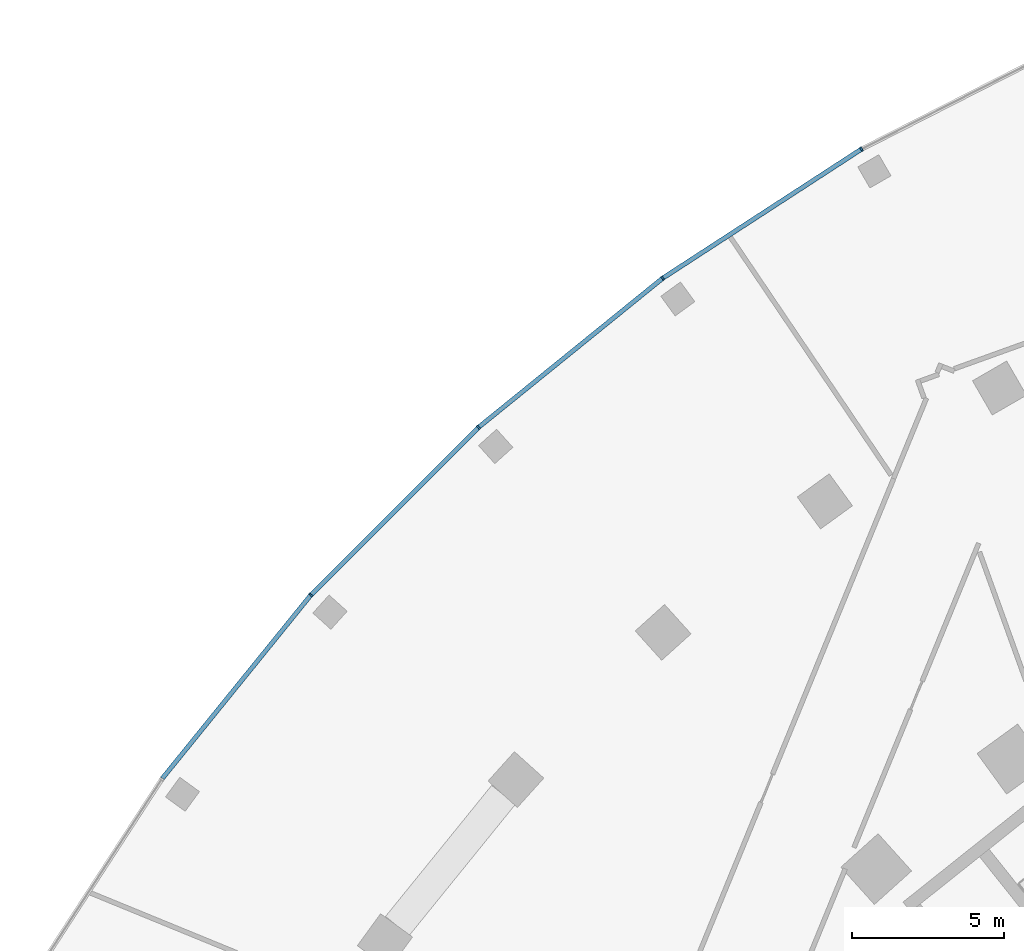
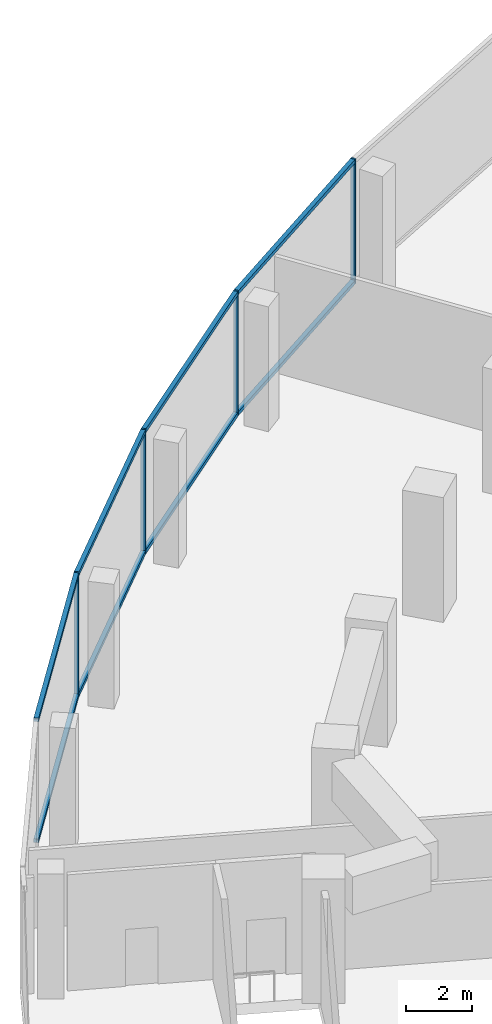
# One storey, part 7 of 33: 12 members, 1 element without a shape of its own.
"""IFC4 building model written with IfcOpenShell, lengths in metres."""

from ifc_helpers import new_model, si_unit, direction, frame, origin, origin_2d, place, context, subcontext, project, spatial, rectangle, extrude, material, layer, layer_set, material_profile, profile_set, type_object, element, aggregate, save


model = new_model("IFC4")

# Units and contexts
model_context = context("Model", 3, precision=1e-05, world=origin(), true_north=direction((0.0, 1.0)))
body_context = subcontext(model_context, "Body", "Model", "MODEL_VIEW")
ifc_project = project(units=[si_unit("LENGTHUNIT", "METRE"), si_unit("AREAUNIT", "SQUARE_METRE"), si_unit("VOLUMEUNIT", "CUBIC_METRE"), si_unit("PLANEANGLEUNIT", "RADIAN"), si_unit("MASSUNIT", "GRAM", prefix="KILO")], contexts=[model_context])

# Site, building, storey
site_placement = place(None, origin())
site = spatial("IfcSite", under=ifc_project, at=site_placement, CompositionType="ELEMENT")
building_placement = place(site_placement, origin())
building = spatial("IfcBuilding", under=site, at=building_placement, Name="Stone Belt Terrace Tower", CompositionType="ELEMENT")
storey_placement = place(building_placement, frame((0.0, 0.0, 25.39990234375)))
storey = spatial("IfcBuildingStorey", under=building, at=storey_placement, Name="L05", CompositionType="ELEMENT", Elevation=25.39990234375)

# Curtain wall, members
ifc_material = material(Name="Aluminium 6063-T6 anodised frame", Category="aluminium")
ifc_layer = layer(ifc_material, 0.14990234375)
ifc_layer_set = layer_set([ifc_layer], Name="CW-D podium shopfront")
curtain_wall_type = type_object("IfcCurtainWallType", Name="CW-D podium shopfront", PredefinedType="NOTDEFINED", material=ifc_layer_set)
curtain_wall_placement = place(storey_placement, origin())
curtain_wall = element("IfcCurtainWall", 1, at=curtain_wall_placement, inside=storey, type_object=curtain_wall_type, Name="CW-D convex face L05", PredefinedType="NOTDEFINED")
ifc_material_profile_1 = material_profile(ifc_material, rectangle(XDim=0.14990234375, YDim=0.06005859375, at=origin_2d()), Name="Aluminium 6063-T6 60x150")
ifc_profile_set_1 = profile_set([ifc_material_profile_1], Name="Aluminium 6063-T6 anodised frame")
member_type_1 = type_object("IfcMemberType", Name="CW-D mullion 60 x 150", PredefinedType="MULLION", material=ifc_profile_set_1)
member_1_placement = place(storey_placement, frame((-37.28759765625, 64.583984375, 0.0), z_axis=(0.0, 0.0, 1.0), x_axis=(0.5, -0.866025403784, 0.0)))
member_1 = element("IfcMember", 2, at=member_1_placement, type_object=member_type_1, Name="CW-D mullion 18", PredefinedType="MULLION", context=body_context, shape_type="SweptSolid", body=[
    extrude(rectangle(XDim=0.14990234375, YDim=0.06005859375, at=origin_2d()), origin(), (0.0, 0.0, 1.0), 4.60009765625),
])
member_2_placement = place(storey_placement, frame((-43.834228515625, 60.33251953125, 0.0), z_axis=(0.0, 0.0, 1.0), x_axis=(0.587785252292, -0.809016994375, 0.0)))
member_2 = element("IfcMember", 3, at=member_2_placement, type_object=member_type_1, Name="CW-D mullion 19", PredefinedType="MULLION", context=body_context, shape_type="SweptSolid", body=[
    extrude(rectangle(XDim=0.14990234375, YDim=0.06005859375, at=origin_2d()), origin(), (0.0, 0.0, 1.0), 4.60009765625),
])
member_3_placement = place(storey_placement, frame((-49.900390625, 55.420166015625, 0.0), z_axis=(0.0, 0.0, 1.0), x_axis=(0.669130606359, -0.743144825477, 0.0)))
member_3 = element("IfcMember", 4, at=member_3_placement, type_object=member_type_1, Name="CW-D mullion 20", PredefinedType="MULLION", context=body_context, shape_type="SweptSolid", body=[
    extrude(rectangle(XDim=0.14990234375, YDim=0.06005859375, at=origin_2d()), origin(), (0.0, 0.0, 1.0), 4.60009765625),
])
member_4_placement = place(storey_placement, frame((-55.420166015625, 49.900390625, 0.0), z_axis=(0.0, 0.0, 1.0), x_axis=(0.743144825477, -0.669130606359, 0.0)))
member_4 = element("IfcMember", 5, at=member_4_placement, type_object=member_type_1, Name="CW-D mullion 21", PredefinedType="MULLION", context=body_context, shape_type="SweptSolid", body=[
    extrude(rectangle(XDim=0.14990234375, YDim=0.06005859375, at=origin_2d()), origin(), (0.0, 0.0, 1.0), 4.60009765625),
])
ifc_material_profile_2 = material_profile(ifc_material, rectangle(XDim=0.14990234375, YDim=0.139892578125, at=origin_2d()), Name="Aluminium 6063-T6 150x140")
ifc_profile_set_2 = profile_set([ifc_material_profile_2], Name="Aluminium 6063-T6 anodised frame")
member_type_2 = type_object("IfcMemberType", Name="CW-D transom 140 x 150", PredefinedType="USERDEFINED", material=ifc_profile_set_2)
member_5_placement = place(storey_placement, frame((-37.31591796875, 64.5654296875, 0.070068359375), z_axis=(-0.83867853224, -0.54462677088, 0.0), x_axis=(0.54462677088, -0.83867853224, 0.0)))
member_5 = element("IfcMember", 6, at=member_5_placement, type_object=member_type_2, Name="CW-D transom 18.1", ObjectType="TRANSOM", PredefinedType="USERDEFINED", context=body_context, shape_type="SweptSolid", body=[
    extrude(rectangle(XDim=0.14990234375, YDim=0.139892578125, at=origin_2d()), origin(), (0.0, 0.0, 1.0), 7.738037109375),
])
member_6_placement = place(storey_placement, frame((-37.31591796875, 64.5654296875, 4.530029296875), z_axis=(-0.83867853224, -0.54462677088, 0.0), x_axis=(0.54462677088, -0.83867853224, 0.0)))
member_6 = element("IfcMember", 7, at=member_6_placement, type_object=member_type_2, Name="CW-D transom 18.2", ObjectType="TRANSOM", PredefinedType="USERDEFINED", context=body_context, shape_type="SweptSolid", body=[
    extrude(rectangle(XDim=0.14990234375, YDim=0.139892578125, at=origin_2d()), origin(), (0.0, 0.0, 1.0), 7.738037109375),
])
member_7_placement = place(storey_placement, frame((-43.860595703125, 60.311279296875, 0.070068359375), z_axis=(-0.777139794023, -0.62932800712, 0.0), x_axis=(0.62932800712, -0.777139794023, 0.0)))
member_7 = element("IfcMember", 8, at=member_7_placement, type_object=member_type_2, Name="CW-D transom 19.1", ObjectType="TRANSOM", PredefinedType="USERDEFINED", context=body_context, shape_type="SweptSolid", body=[
    extrude(rectangle(XDim=0.14990234375, YDim=0.139892578125, at=origin_2d()), origin(), (0.0, 0.0, 1.0), 7.73828125),
])
member_8_placement = place(storey_placement, frame((-43.860595703125, 60.311279296875, 4.530029296875), z_axis=(-0.777139794023, -0.62932800712, 0.0), x_axis=(0.62932800712, -0.777139794023, 0.0)))
member_8 = element("IfcMember", 9, at=member_8_placement, type_object=member_type_2, Name="CW-D transom 19.2", ObjectType="TRANSOM", PredefinedType="USERDEFINED", context=body_context, shape_type="SweptSolid", body=[
    extrude(rectangle(XDim=0.14990234375, YDim=0.139892578125, at=origin_2d()), origin(), (0.0, 0.0, 1.0), 7.73828125),
])
member_9_placement = place(storey_placement, frame((-49.924560546875, 55.396240234375, 0.070068359375), z_axis=(-0.707106781187, -0.707106781187, 0.0), x_axis=(0.707106781187, -0.707106781187, 0.0)))
member_9 = element("IfcMember", 10, at=member_9_placement, type_object=member_type_2, Name="CW-D transom 20.1", ObjectType="TRANSOM", PredefinedType="USERDEFINED", context=body_context, shape_type="SweptSolid", body=[
    extrude(rectangle(XDim=0.14990234375, YDim=0.139892578125, at=origin_2d()), origin(), (0.0, 0.0, 1.0), 7.738037109375),
])
member_10_placement = place(storey_placement, frame((-49.924560546875, 55.396240234375, 4.530029296875), z_axis=(-0.707106781187, -0.707106781187, 0.0), x_axis=(0.707106781187, -0.707106781187, 0.0)))
member_10 = element("IfcMember", 11, at=member_10_placement, type_object=member_type_2, Name="CW-D transom 20.2", ObjectType="TRANSOM", PredefinedType="USERDEFINED", context=body_context, shape_type="SweptSolid", body=[
    extrude(rectangle(XDim=0.14990234375, YDim=0.139892578125, at=origin_2d()), origin(), (0.0, 0.0, 1.0), 7.738037109375),
])
member_11_placement = place(storey_placement, frame((-55.44140625, 49.874267578125, 0.070068359375), z_axis=(-0.62932800712, -0.777139794023, 0.0), x_axis=(0.777139794023, -0.62932800712, 0.0)))
member_11 = element("IfcMember", 12, at=member_11_placement, type_object=member_type_2, Name="CW-D transom 21.1", ObjectType="TRANSOM", PredefinedType="USERDEFINED", context=body_context, shape_type="SweptSolid", body=[
    extrude(rectangle(XDim=0.14990234375, YDim=0.139892578125, at=origin_2d()), origin(), (0.0, 0.0, 1.0), 7.73828125),
])
member_12_placement = place(storey_placement, frame((-55.44140625, 49.874267578125, 4.530029296875), z_axis=(-0.62932800712, -0.777139794023, 0.0), x_axis=(0.777139794023, -0.62932800712, 0.0)))
member_12 = element("IfcMember", 13, at=member_12_placement, type_object=member_type_2, Name="CW-D transom 21.2", ObjectType="TRANSOM", PredefinedType="USERDEFINED", context=body_context, shape_type="SweptSolid", body=[
    extrude(rectangle(XDim=0.14990234375, YDim=0.139892578125, at=origin_2d()), origin(), (0.0, 0.0, 1.0), 7.73828125),
])
aggregate(curtain_wall, [member_1, member_2, member_3, member_4, member_5, member_6, member_7, member_8, member_9, member_10, member_11, member_12])

save(model, "model.ifc")
